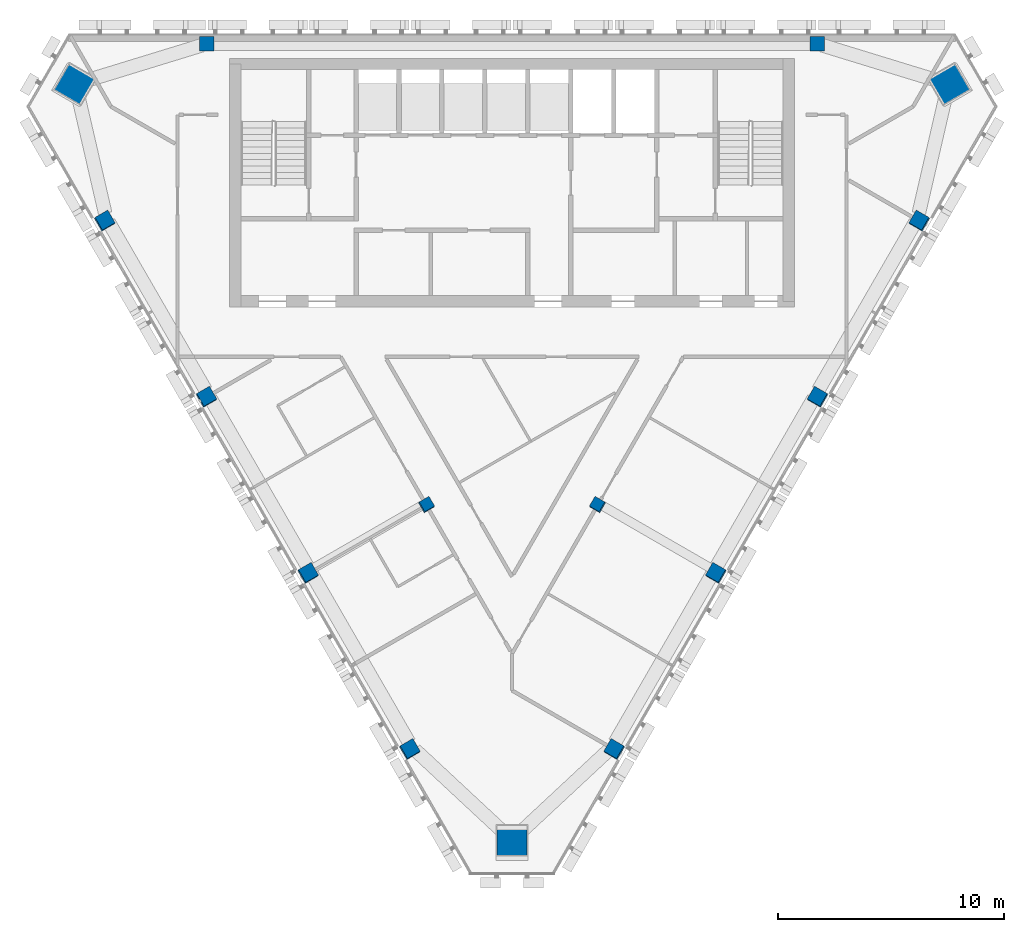
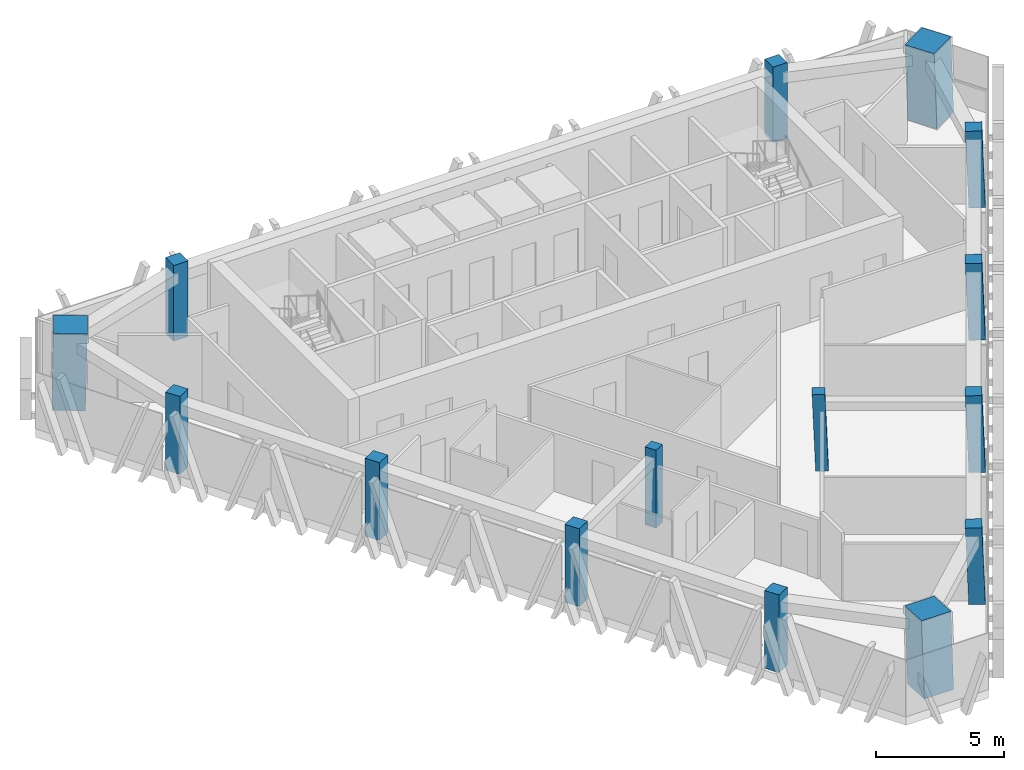
# One storey, part 1 of 10: 15 columns.
"""IFC4 building model written with IfcOpenShell, lengths in metres."""

from ifc_helpers import new_model, si_unit, direction, frame, origin, origin_2d, place, context, subcontext, project, spatial, rectangle, extrude, material, material_profile, profile_set, type_object, element, save


model = new_model("IFC4")

# Units and contexts
model_context = context("Model", 3, precision=1e-05, world=origin(), true_north=direction((0.0, 1.0)))
body_context = subcontext(model_context, "Body", "Model", "MODEL_VIEW")
ifc_project = project(units=[si_unit("LENGTHUNIT", "METRE"), si_unit("AREAUNIT", "SQUARE_METRE"), si_unit("VOLUMEUNIT", "CUBIC_METRE"), si_unit("PLANEANGLEUNIT", "RADIAN"), si_unit("MASSUNIT", "GRAM", prefix="KILO")], contexts=[model_context])

# Site, building, storey
site_placement = place(None, origin())
site = spatial("IfcSite", under=ifc_project, at=site_placement, CompositionType="ELEMENT")
building_placement = place(site_placement, origin())
building = spatial("IfcBuilding", under=site, at=building_placement, Name="Altiplano Prism Tower", CompositionType="ELEMENT")
storey_placement = place(building_placement, frame((0.0, 0.0, 320.199951171875)))
storey = spatial("IfcBuildingStorey", under=building, at=storey_placement, Name="L83", CompositionType="ELEMENT", Elevation=320.199951171875)

# Columns
ifc_material_1 = material(Name="Concrete C60/75", Category="concrete")
ifc_material_profile_1 = material_profile(ifc_material_1, rectangle(XDim=0.5, YDim=0.5, at=origin_2d()), Name="Inner column 500")
ifc_profile_set_1 = profile_set([ifc_material_profile_1], Name="Concrete C60/75")
column_type_1 = type_object("IfcColumnType", Name="Inner column 500", PredefinedType="COLUMN", material=ifc_profile_set_1)
for number, where, z_axis, x_axis, name in (
    (1, (81.20703125, 84.13623046875, -0.01513671875), (0.022221406801, 0.038413224561, 0.999014831351), (-0.866021362782, -0.498527802796, 0.038432135574), "Inner column I13 L83"),
    (2, (88.79296875, 84.13623046875, -0.01513671875), (-0.022221406801, 0.038413224561, 0.999014831351), (-0.499512971088, -0.866022201804, 0.022188683976), "Inner column I22 L83"),
):
    element("IfcColumn", number, at=place(storey_placement, frame(where, z_axis=z_axis, x_axis=x_axis)), inside=storey, type_object=column_type_1, Name=name, PredefinedType="COLUMN", context=body_context, shape_type="SweptSolid", body=[
        extrude(rectangle(XDim=0.5, YDim=0.5, at=origin_2d()), origin(), (0.0, 0.0, 1.0), 3.603759765625),
    ])
ifc_material_2 = material(Name="Concrete C70/85", Category="concrete")
ifc_material_profile_2 = material_profile(ifc_material_2, rectangle(XDim=1.320068359375, YDim=1.320068359375, at=origin_2d()), Name="Mega column infill 1400")
ifc_profile_set_2 = profile_set([ifc_material_profile_2], Name="Concrete C70/85")
column_type_2 = type_object("IfcColumnType", Name="Mega column infill 1400", PredefinedType="COLUMN", material=ifc_profile_set_2)
column_1_placement = place(storey_placement, frame((65.58056640625, 102.734375, 0.0), z_axis=(0.028401814599, 0.009218727412, 0.999554076572), x_axis=(-0.865121565404, 0.501164925607, 0.01995982002)))
element("IfcColumn", 3, at=column_1_placement, inside=storey, type_object=column_type_2, Name="Mega column M0 L83", PredefinedType="COLUMN", context=body_context, shape_type="SweptSolid", body=[
    extrude(rectangle(XDim=1.320068359375, YDim=1.320068359375, at=origin_2d()), origin(), (0.0, 0.0, 1.0), 3.601806640625),
])
column_2_placement = place(storey_placement, frame((85.0, 69.098876953125, 0.0), z_axis=(0.0, 0.058356907999, 0.998295783467), x_axis=(-1.0, 0.0, 0.0)))
element("IfcColumn", 4, at=column_2_placement, inside=storey, type_object=column_type_2, Name="Mega column M1 L83", PredefinedType="COLUMN", context=body_context, shape_type="SweptSolid", body=[
    extrude(rectangle(XDim=1.320068359375, YDim=1.320068359375, at=origin_2d()), origin(), (0.0, 0.0, 1.0), 3.606201171875),
])
column_3_placement = place(storey_placement, frame((104.41943359375, 102.734375, 0.0), z_axis=(-0.028401814599, 0.009218727412, 0.999554076572), x_axis=(0.500757440285, -0.865302682537, 0.02220931319)))
element("IfcColumn", 5, at=column_3_placement, inside=storey, type_object=column_type_2, Name="Mega column M2 L83", PredefinedType="COLUMN", context=body_context, shape_type="SweptSolid", body=[
    extrude(rectangle(XDim=1.320068359375, YDim=1.320068359375, at=origin_2d()), origin(), (0.0, 0.0, 1.0), 3.601806640625),
])
ifc_material_profile_3 = material_profile(ifc_material_1, rectangle(XDim=0.64990234375, YDim=0.64990234375, at=origin_2d()), Name="Perimeter column 650")
ifc_profile_set_3 = profile_set([ifc_material_profile_3], Name="Concrete C60/75")
column_type_3 = type_object("IfcColumnType", Name="Perimeter column 650", PredefinedType="COLUMN", material=ifc_profile_set_3)
for number, where, z_axis, x_axis, name in (
    (6, (98.5, 104.550048828125, 0.0), (0.0, 0.0, 1.0), (1.0, 0.0, 0.0), "Perimeter column P01 L83"),
    (7, (71.5, 104.550048828125, 0.0), (0.0, 0.0, 1.0), (1.0, 0.0, 0.0), "Perimeter column P04 L83"),
):
    element("IfcColumn", number, at=place(storey_placement, frame(where, z_axis=z_axis, x_axis=x_axis)), inside=storey, type_object=column_type_3, Name=name, PredefinedType="COLUMN", context=body_context, shape_type="SweptSolid", body=[
        extrude(rectangle(XDim=0.64990234375, YDim=0.64990234375, at=origin_2d()), origin(), (0.0, 0.0, 1.0), 3.60009765625),
    ])
for number, where, z_axis, x_axis, name in (
    (8, (66.967529296875, 96.699462890625, -0.019775390625), (0.02215369191, 0.038413282303, 0.999016333038), (-0.865361970507, -0.499673774853, 0.03840284787), "Perimeter column P11 L83"),
    (9, (71.467529296875, 88.9052734375, -0.019775390625), (0.02215369191, 0.038413282303, 0.999016333038), (-0.865361970507, -0.499673774853, 0.03840284787), "Perimeter column P12 L83"),
    (10, (75.967529296875, 81.11083984375, -0.019775390625), (0.022153634206, 0.038480930364, 0.999013730882), (-0.864979711315, -0.50033131112, 0.038453584044), "Perimeter column P13 L83"),
    (11, (80.467529296875, 73.316650390625, -0.019775390625), (0.022153634206, 0.038480930364, 0.999013730882), (-0.864979711315, -0.50033131112, 0.038453584044), "Perimeter column P14 L83"),
    (12, (89.532470703125, 73.316650390625, -0.019775390625), (-0.022153634206, 0.038480930364, 0.999013730882), (-0.501317579488, -0.864978495173, 0.022201067189), "Perimeter column P21 L83"),
    (13, (94.032470703125, 81.11083984375, -0.019775390625), (-0.022153634206, 0.038480930364, 0.999013730882), (-0.501317579488, -0.864978495173, 0.022201067189), "Perimeter column P22 L83"),
    (14, (98.532470703125, 88.9052734375, -0.019775390625), (-0.02215369191, 0.038413282303, 0.999016333038), (-0.500657441706, -0.865361507387, 0.022171774803), "Perimeter column P23 L83"),
    (15, (103.032470703125, 96.699462890625, -0.019775390625), (-0.02215369191, 0.038413282303, 0.999016333038), (-0.500657441706, -0.865361507387, 0.022171774803), "Perimeter column P24 L83"),
):
    element("IfcColumn", number, at=place(storey_placement, frame(where, z_axis=z_axis, x_axis=x_axis)), inside=storey, type_object=column_type_3, Name=name, PredefinedType="COLUMN", context=body_context, shape_type="SweptSolid", body=[
        extrude(rectangle(XDim=0.64990234375, YDim=0.64990234375, at=origin_2d()), origin(), (0.0, 0.0, 1.0), 3.603759765625),
    ])

save(model, "model.ifc")
